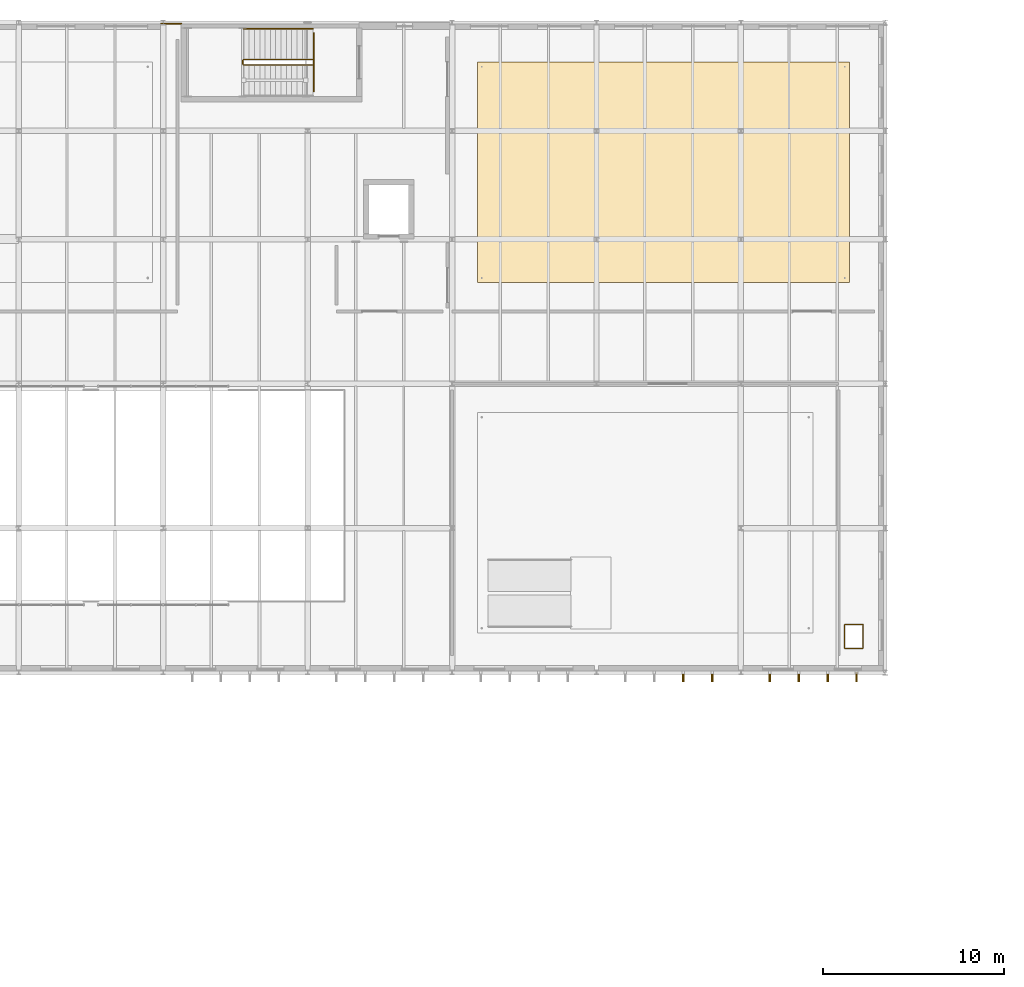
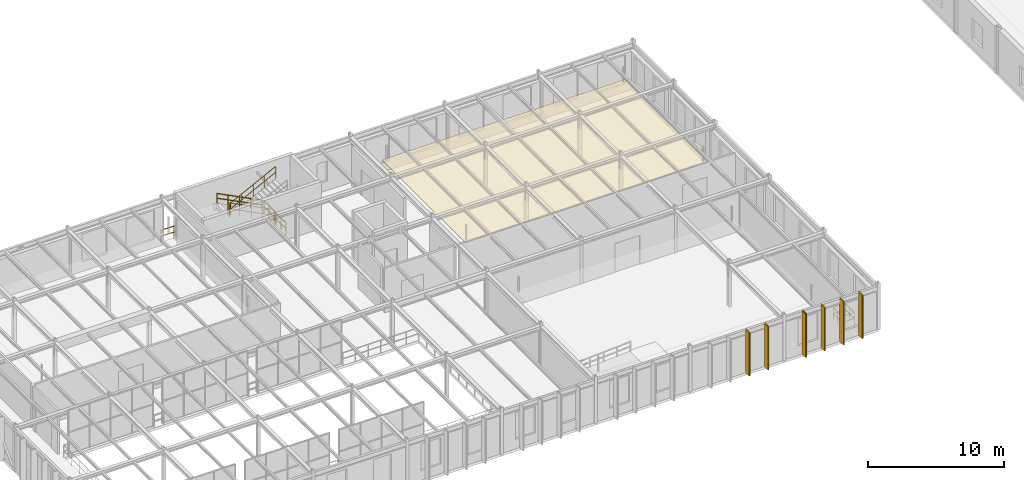
# One storey, part 120 of 124: 9 railings, 7 coverings, 6 shading devices.
"""IFC4 building model written with IfcOpenShell, lengths in metres."""

from ifc_helpers import new_model, si_unit, direction, frame, origin, origin_2d, place, context, subcontext, project, spatial, polyline, rectangle, circle, outline, extrude, material, layer, layer_set, type_object, element, save


model = new_model("IFC4")

# Units and contexts
model_context = context("Model", 3, precision=1e-05, world=origin(), true_north=direction((0.0, 1.0)))
body_context = subcontext(model_context, "Body", "Model", "MODEL_VIEW")
ifc_project = project(units=[si_unit("LENGTHUNIT", "METRE"), si_unit("AREAUNIT", "SQUARE_METRE"), si_unit("VOLUMEUNIT", "CUBIC_METRE"), si_unit("PLANEANGLEUNIT", "RADIAN"), si_unit("MASSUNIT", "GRAM", prefix="KILO")], contexts=[model_context])

# Site, building, storey
site_placement = place(None, origin())
site = spatial("IfcSite", under=ifc_project, at=site_placement, CompositionType="ELEMENT")
building_placement = place(site_placement, origin())
building = spatial("IfcBuilding", under=site, at=building_placement, Name="Sundkrona Museum", CompositionType="ELEMENT")
storey_placement = place(building_placement, frame((0.0, 0.0, 17.60009765625)))
storey = spatial("IfcBuildingStorey", under=building, at=storey_placement, Name="L03", CompositionType="ELEMENT", Elevation=17.60009765625)

# Coverings
ifc_material_1 = material(Name="Perforated Acoustic Gypsum and Mineral Wool Ceiling", Category="other")
ifc_layer_1 = layer(ifc_material_1, 0.0400390625)
ifc_layer_set_1 = layer_set([ifc_layer_1], Name="Perforated Acoustic Gypsum and Mineral Wool Ceiling")
covering_type_1 = type_object("IfcCoveringType", Name="COV-CEIL-AC", PredefinedType="CEILING", material=ifc_layer_set_1)
covering_placement = place(storey_placement, frame((0.0, 0.0, 2.5498046875)))
element("IfcCovering", 1, at=covering_placement, inside=storey, type_object=covering_type_1, Name="L03 Glass and Applied Arts Gallery Acoustic Ceiling", PredefinedType="CEILING", context=body_context, shape_type="SweptSolid", body=[
    extrude(outline(polyline([(57.39990234375, 99.60009765625), (78.0, 99.60009765625), (78.0, 111.800048828125), (57.39990234375, 111.800048828125), (57.39990234375, 99.60009765625)])), origin(), (0.0, 0.0, 1.0), 0.0400390625),
])
ifc_material_2 = material(Name="Frost-Resistant Vitrified Stoneware Mosaic Cladding", Category="masonry")
ifc_layer_2 = layer(ifc_material_2, 0.044921875)
ifc_layer_set_2 = layer_set([ifc_layer_2], Name="Frost-Resistant Vitrified Stoneware Mosaic Cladding")
covering_type_2 = type_object("IfcCoveringType", Name="COV-CLD-MOS", PredefinedType="CLADDING", material=ifc_layer_set_2)
for number, where, z_axis, x_axis, name in (
    (2, (68.800048828125, 77.7451171875, 0.0), (0.0, 0.0, 1.0), (1.0, 0.0, 0.0), "L03 Vitrified Ceramic Brise-Soleil Casing S-127"),
    (3, (70.39990234375, 77.7451171875, 0.0), (0.0, 0.0, 1.0), (1.0, 0.0, 0.0), "L03 Vitrified Ceramic Brise-Soleil Casing S-128"),
    (4, (73.60009765625, 77.7451171875, 0.0), (0.0, 0.0, 1.0), (1.0, 0.0, 0.0), "L03 Vitrified Ceramic Brise-Soleil Casing S-129"),
    (5, (75.199951171875, 77.7451171875, 0.0), (0.0, 0.0, 1.0), (1.0, 0.0, 0.0), "L03 Vitrified Ceramic Brise-Soleil Casing S-130"),
    (6, (76.800048828125, 77.7451171875, 0.0), (0.0, 0.0, 1.0), (1.0, 0.0, 0.0), "L03 Vitrified Ceramic Brise-Soleil Casing S-131"),
    (7, (78.39990234375, 77.7451171875, 0.0), (0.0, 0.0, 1.0), (1.0, 0.0, 0.0), "L03 Vitrified Ceramic Brise-Soleil Casing S-132"),
):
    element("IfcCovering", number, at=place(storey_placement, frame(where, z_axis=z_axis, x_axis=x_axis)), inside=storey, type_object=covering_type_2, Name=name, PredefinedType="CLADDING", context=body_context, shape_type="SweptSolid", body=[
        extrude(rectangle(XDim=0.110107421875, YDim=0.530029296875, at=origin_2d()), origin(), (0.0, 0.0, 1.0), 3.89990234375),
    ])

# Shading devices
ifc_material_3 = material(Name="Vitrified Stoneware Ceramic on Galvanised Steel Core", Category="masonry")
ifc_layer_3 = layer(ifc_material_3, 0.080078125)
ifc_layer_set_3 = layer_set([ifc_layer_3], Name="Vitrified Stoneware Ceramic on Galvanised Steel Core")
shading_device_type = type_object("IfcShadingDeviceType", Name="FIN-CER-520", PredefinedType="USERDEFINED", material=ifc_layer_set_3)
for number, where, z_axis, x_axis, name in (
    (8, (68.800048828125, 77.739990234375, 0.0), (0.0, 0.0, 1.0), (1.0, 0.0, 0.0), "L03 Ceramic Brise-Soleil Fin S-127"),
    (9, (70.39990234375, 77.739990234375, 0.0), (0.0, 0.0, 1.0), (1.0, 0.0, 0.0), "L03 Ceramic Brise-Soleil Fin S-128"),
    (10, (73.60009765625, 77.739990234375, 0.0), (0.0, 0.0, 1.0), (1.0, 0.0, 0.0), "L03 Ceramic Brise-Soleil Fin S-129"),
    (11, (75.199951171875, 77.739990234375, 0.0), (0.0, 0.0, 1.0), (1.0, 0.0, 0.0), "L03 Ceramic Brise-Soleil Fin S-130"),
    (12, (76.800048828125, 77.739990234375, 0.0), (0.0, 0.0, 1.0), (1.0, 0.0, 0.0), "L03 Ceramic Brise-Soleil Fin S-131"),
    (13, (78.39990234375, 77.739990234375, 0.0), (0.0, 0.0, 1.0), (1.0, 0.0, 0.0), "L03 Ceramic Brise-Soleil Fin S-132"),
):
    element("IfcShadingDevice", number, at=place(storey_placement, frame(where, z_axis=z_axis, x_axis=x_axis)), inside=storey, type_object=shading_device_type, Name=name, ObjectType="SOLAR FIN", PredefinedType="USERDEFINED", context=body_context, shape_type="SweptSolid", body=[
        extrude(rectangle(XDim=0.080078125, YDim=0.52001953125, at=origin_2d()), origin(), (0.0, 0.0, 1.0), 3.89990234375),
    ])

# Railings
ifc_material_4 = material(Name="Painted Steel S355J2 and Laminated Glass Balustrade", Category="steel")
railing_type_1 = type_object("IfcRailingType", Name="RL-GUARD-1100", PredefinedType="BALUSTRADE", material=ifc_material_4)
railing_1_placement = place(storey_placement, frame((48.300048828125, 111.949951171875, 0.14990234375)))
element("IfcRailing", 14, at=railing_1_placement, inside=storey, type_object=railing_type_1, Name="L03 ST-3 stair guard 1", PredefinedType="BALUSTRADE", context=body_context, shape_type="SweptSolid", body=[
    extrude(circle(Radius=0.02392578125, at=origin_2d()), frame((0.0, 0.0, 1.076171875), z_axis=(-0.891387850335, 0.0, 0.453241326752), x_axis=(0.0, -1.0, 0.0)), (0.0, 0.0, 1.0), 4.30224609375),
    extrude(circle(Radius=0.02392578125, at=origin_2d()), frame((0.0, 0.0, 0.550048828125), z_axis=(-0.891387850335, 0.0, 0.453241326752), x_axis=(0.0, -1.0, 0.0)), (0.0, 0.0, 1.0), 4.30224609375),
    extrude(circle(Radius=0.02099609375, at=origin_2d()), origin(), (0.0, 0.0, 1.0), 1.052001953125),
    extrude(circle(Radius=0.02099609375, at=origin_2d()), frame((-0.958740234375, 0.0, 0.487548828125)), (0.0, 0.0, 1.0), 1.052001953125),
    extrude(circle(Radius=0.02099609375, at=origin_2d()), frame((-1.91748046875, 0.0, 0.97509765625)), (0.0, 0.0, 1.0), 1.052001953125),
    extrude(circle(Radius=0.02099609375, at=origin_2d()), frame((-2.876220703125, 0.0, 1.46240234375)), (0.0, 0.0, 1.0), 1.052001953125),
    extrude(circle(Radius=0.02099609375, at=origin_2d()), frame((-3.8349609375, 0.0, 1.949951171875)), (0.0, 0.0, 1.0), 1.052001953125),
])
railing_2_placement = place(storey_placement, frame((44.4150390625, 111.89990234375, 2.099853515625)))
element("IfcRailing", 15, at=railing_2_placement, inside=storey, type_object=railing_type_1, Name="L03 ST-3 stair guard 2", PredefinedType="BALUSTRADE", context=body_context, shape_type="SweptSolid", body=[
    extrude(circle(Radius=0.02392578125, at=origin_2d()), frame((0.0, 0.0, 1.076171875), z_axis=(0.0, -1.0, 0.0), x_axis=(1.0, 0.0, 0.0)), (0.0, 0.0, 1.0), 0.199951171875),
    extrude(circle(Radius=0.02392578125, at=origin_2d()), frame((0.0, 0.0, 0.550048828125), z_axis=(0.0, -1.0, 0.0), x_axis=(1.0, 0.0, 0.0)), (0.0, 0.0, 1.0), 0.199951171875),
    extrude(circle(Radius=0.02099609375, at=origin_2d()), origin(), (0.0, 0.0, 1.0), 1.052001953125),
    extrude(circle(Radius=0.02099609375, at=origin_2d()), frame((0.0, -0.199951171875, 0.0)), (0.0, 0.0, 1.0), 1.052001953125),
])
railing_3_placement = place(storey_placement, frame((44.465087890625, 111.64990234375, 2.25)))
element("IfcRailing", 16, at=railing_3_placement, inside=storey, type_object=railing_type_1, Name="L03 ST-3 stair guard 3", PredefinedType="BALUSTRADE", context=body_context, shape_type="SweptSolid", body=[
    extrude(circle(Radius=0.02392578125, at=origin_2d()), frame((0.0, 0.0, 1.076171875), z_axis=(0.891387850335, 0.0, 0.453241326752), x_axis=(0.0, 1.0, 0.0)), (0.0, 0.0, 1.0), 4.30224609375),
    extrude(circle(Radius=0.02392578125, at=origin_2d()), frame((0.0, 0.0, 0.550048828125), z_axis=(0.891387850335, 0.0, 0.453241326752), x_axis=(0.0, 1.0, 0.0)), (0.0, 0.0, 1.0), 4.30224609375),
    extrude(circle(Radius=0.02099609375, at=origin_2d()), origin(), (0.0, 0.0, 1.0), 1.052001953125),
    extrude(circle(Radius=0.02099609375, at=origin_2d()), frame((0.958740234375, 0.0, 0.487548828125)), (0.0, 0.0, 1.0), 1.052001953125),
    extrude(circle(Radius=0.02099609375, at=origin_2d()), frame((1.91748046875, 0.0, 0.97509765625)), (0.0, 0.0, 1.0), 1.052001953125),
    extrude(circle(Radius=0.02099609375, at=origin_2d()), frame((2.876220703125, 0.0, 1.46240234375)), (0.0, 0.0, 1.0), 1.052001953125),
    extrude(circle(Radius=0.02099609375, at=origin_2d()), frame((3.8349609375, 0.0, 1.949951171875)), (0.0, 0.0, 1.0), 1.052001953125),
])
railing_4_placement = place(storey_placement, frame((48.35009765625, 111.89990234375, 0.0)))
element("IfcRailing", 17, at=railing_4_placement, inside=storey, type_object=railing_type_1, Name="L03 ST-3 stair guard 4", PredefinedType="BALUSTRADE", context=body_context, shape_type="SweptSolid", body=[
    extrude(circle(Radius=0.02392578125, at=origin_2d()), frame((0.0, 0.0, 1.076171875), z_axis=(0.0, -1.0, 0.0), x_axis=(1.0, 0.0, 0.0)), (0.0, 0.0, 1.0), 0.199951171875),
    extrude(circle(Radius=0.02392578125, at=origin_2d()), frame((0.0, 0.0, 0.550048828125), z_axis=(0.0, -1.0, 0.0), x_axis=(1.0, 0.0, 0.0)), (0.0, 0.0, 1.0), 0.199951171875),
    extrude(circle(Radius=0.02099609375, at=origin_2d()), origin(), (0.0, 0.0, 1.0), 1.052001953125),
    extrude(circle(Radius=0.02099609375, at=origin_2d()), frame((0.0, -0.199951171875, 0.0)), (0.0, 0.0, 1.0), 1.052001953125),
])
railing_5_placement = place(storey_placement, frame((39.8779296875, 113.93994140625, 0.0)))
element("IfcRailing", 18, at=railing_5_placement, inside=storey, type_object=railing_type_1, Name="L03 Edge Protection Balustrade 012", PredefinedType="BALUSTRADE", context=body_context, shape_type="SweptSolid", body=[
    extrude(circle(Radius=0.02392578125, at=origin_2d()), frame((0.0, 0.0, 1.09619140625), z_axis=(1.0, 0.0, 0.0), x_axis=(0.0, 1.0, 0.0)), (0.0, 0.0, 1.0), 1.1220703125),
    extrude(circle(Radius=0.02392578125, at=origin_2d()), frame((0.0, 0.0, 0.56005859375), z_axis=(1.0, 0.0, 0.0), x_axis=(0.0, 1.0, 0.0)), (0.0, 0.0, 1.0), 1.1220703125),
    extrude(circle(Radius=0.02099609375, at=origin_2d()), origin(), (0.0, 0.0, 1.0), 1.072021484375),
    extrude(circle(Radius=0.02099609375, at=origin_2d()), frame((1.1220703125, 0.0, 0.0)), (0.0, 0.0, 1.0), 1.072021484375),
])
for number, where, name in (
    (19, (48.3349609375, 110.179931640625, 0.0), "L03 Edge Protection Balustrade 014"),
    (20, (48.3349609375, 111.89990234375, 0.0), "L03 Edge Protection Balustrade 015"),
):
    element("IfcRailing", number, at=place(storey_placement, frame(where)), inside=storey, type_object=railing_type_1, Name=name, PredefinedType="BALUSTRADE", context=body_context, shape_type="SweptSolid", body=[
        extrude(circle(Radius=0.02392578125, at=origin_2d()), frame((0.0, 0.0, 1.09619140625), z_axis=(0.0, 1.0, 0.0), x_axis=(-1.0, 0.0, 0.0)), (0.0, 0.0, 1.0), 1.52001953125),
        extrude(circle(Radius=0.02392578125, at=origin_2d()), frame((0.0, 0.0, 0.56005859375), z_axis=(0.0, 1.0, 0.0), x_axis=(-1.0, 0.0, 0.0)), (0.0, 0.0, 1.0), 1.52001953125),
        extrude(circle(Radius=0.02099609375, at=origin_2d()), origin(), (0.0, 0.0, 1.0), 1.072021484375),
        extrude(circle(Radius=0.02099609375, at=origin_2d()), frame((0.0, 0.760009765625, 0.0)), (0.0, 0.0, 1.0), 1.072021484375),
        extrude(circle(Radius=0.02099609375, at=origin_2d()), frame((0.0, 1.52001953125, 0.0)), (0.0, 0.0, 1.0), 1.072021484375),
    ])
railing_6_placement = place(storey_placement, frame((78.760009765625, 79.340087890625, 0.0)))
element("IfcRailing", 21, at=railing_6_placement, inside=storey, type_object=railing_type_1, Name="L03 Edge Protection Balustrade 016", PredefinedType="BALUSTRADE", context=body_context, shape_type="SweptSolid", body=[
    extrude(circle(Radius=0.02392578125, at=origin_2d()), frame((0.0, 0.0, 1.09619140625), z_axis=(0.0, 1.0, 0.0), x_axis=(-1.0, 0.0, 0.0)), (0.0, 0.0, 1.0), 1.31982421875),
    extrude(circle(Radius=0.02392578125, at=origin_2d()), frame((0.0, 0.0, 0.56005859375), z_axis=(0.0, 1.0, 0.0), x_axis=(-1.0, 0.0, 0.0)), (0.0, 0.0, 1.0), 1.31982421875),
    extrude(circle(Radius=0.02392578125, at=origin_2d()), frame((0.0, 1.31982421875, 1.09619140625), z_axis=(-1.0, 0.0, 0.0), x_axis=(0.0, -1.0, 0.0)), (0.0, 0.0, 1.0), 1.02001953125),
    extrude(circle(Radius=0.02392578125, at=origin_2d()), frame((0.0, 1.31982421875, 0.56005859375), z_axis=(-1.0, 0.0, 0.0), x_axis=(0.0, -1.0, 0.0)), (0.0, 0.0, 1.0), 1.02001953125),
    extrude(circle(Radius=0.02392578125, at=origin_2d()), frame((-1.02001953125, 1.31982421875, 1.09619140625), z_axis=(0.0, -1.0, 0.0), x_axis=(1.0, 0.0, 0.0)), (0.0, 0.0, 1.0), 1.31982421875),
    extrude(circle(Radius=0.02392578125, at=origin_2d()), frame((-1.02001953125, 1.31982421875, 0.56005859375), z_axis=(0.0, -1.0, 0.0), x_axis=(1.0, 0.0, 0.0)), (0.0, 0.0, 1.0), 1.31982421875),
    extrude(circle(Radius=0.02392578125, at=origin_2d()), frame((-1.02001953125, 0.0, 1.09619140625), z_axis=(1.0, 0.0, 0.0), x_axis=(0.0, 1.0, 0.0)), (0.0, 0.0, 1.0), 1.02001953125),
    extrude(circle(Radius=0.02392578125, at=origin_2d()), frame((-1.02001953125, 0.0, 0.56005859375), z_axis=(1.0, 0.0, 0.0), x_axis=(0.0, 1.0, 0.0)), (0.0, 0.0, 1.0), 1.02001953125),
    extrude(circle(Radius=0.02099609375, at=origin_2d()), origin(), (0.0, 0.0, 1.0), 1.072021484375),
    extrude(circle(Radius=0.02099609375, at=origin_2d()), frame((0.0, 0.659912109375, 0.0)), (0.0, 0.0, 1.0), 1.072021484375),
    extrude(circle(Radius=0.02099609375, at=origin_2d()), frame((0.0, 1.31982421875, 0.0)), (0.0, 0.0, 1.0), 1.072021484375),
    extrude(circle(Radius=0.02099609375, at=origin_2d()), frame((-1.02001953125, 1.31982421875, 0.0)), (0.0, 0.0, 1.0), 1.072021484375),
    extrude(circle(Radius=0.02099609375, at=origin_2d()), frame((-1.02001953125, 0.659912109375, 0.0)), (0.0, 0.0, 1.0), 1.072021484375),
    extrude(circle(Radius=0.02099609375, at=origin_2d()), frame((-1.02001953125, 0.0, 0.0)), (0.0, 0.0, 1.0), 1.072021484375),
])
ifc_material_5 = material(Name="Brushed Bronze-Clad Steel Handrail", Category="steel")
railing_type_2 = type_object("IfcRailingType", Name="RL-HAND-900", PredefinedType="HANDRAIL", material=ifc_material_5)
railing_7_placement = place(storey_placement, frame((48.300048828125, 113.64990234375, 0.14990234375)))
element("IfcRailing", 22, at=railing_7_placement, inside=storey, type_object=railing_type_2, Name="L03 ST-3 stair handrail 1", PredefinedType="HANDRAIL", context=body_context, shape_type="SweptSolid", body=[
    extrude(circle(Radius=0.02392578125, at=origin_2d()), frame((0.0, 0.0, 0.8759765625), z_axis=(-0.891387850335, 0.0, 0.453241326752), x_axis=(0.0, -1.0, 0.0)), (0.0, 0.0, 1.0), 4.30224609375),
    extrude(circle(Radius=0.02392578125, at=origin_2d()), frame((0.0, 0.0, 0.449951171875), z_axis=(-0.891387850335, 0.0, 0.453241326752), x_axis=(0.0, -1.0, 0.0)), (0.0, 0.0, 1.0), 4.30224609375),
    extrude(circle(Radius=0.02099609375, at=origin_2d()), origin(), (0.0, 0.0, 1.0), 0.851806640625),
    extrude(circle(Radius=0.02099609375, at=origin_2d()), frame((-0.958740234375, 0.0, 0.487548828125)), (0.0, 0.0, 1.0), 0.851806640625),
    extrude(circle(Radius=0.02099609375, at=origin_2d()), frame((-1.91748046875, 0.0, 0.97509765625)), (0.0, 0.0, 1.0), 0.851806640625),
    extrude(circle(Radius=0.02099609375, at=origin_2d()), frame((-2.876220703125, 0.0, 1.46240234375)), (0.0, 0.0, 1.0), 0.851806640625),
    extrude(circle(Radius=0.02099609375, at=origin_2d()), frame((-3.8349609375, 0.0, 1.949951171875)), (0.0, 0.0, 1.0), 0.851806640625),
])

save(model, "model.ifc")
